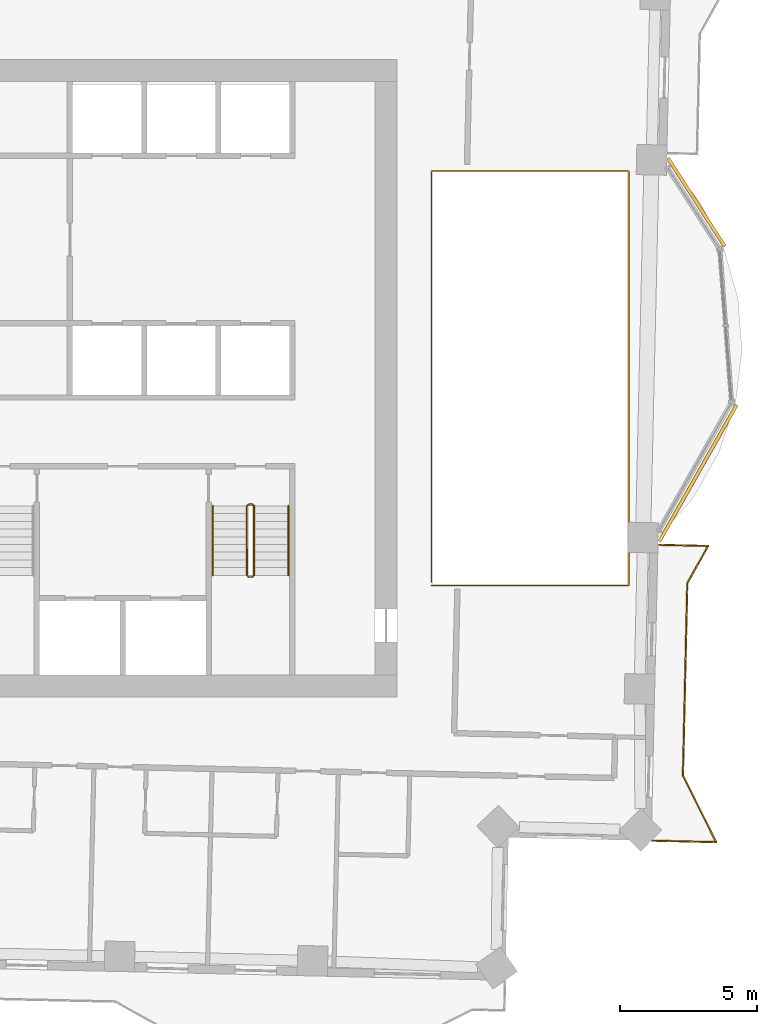
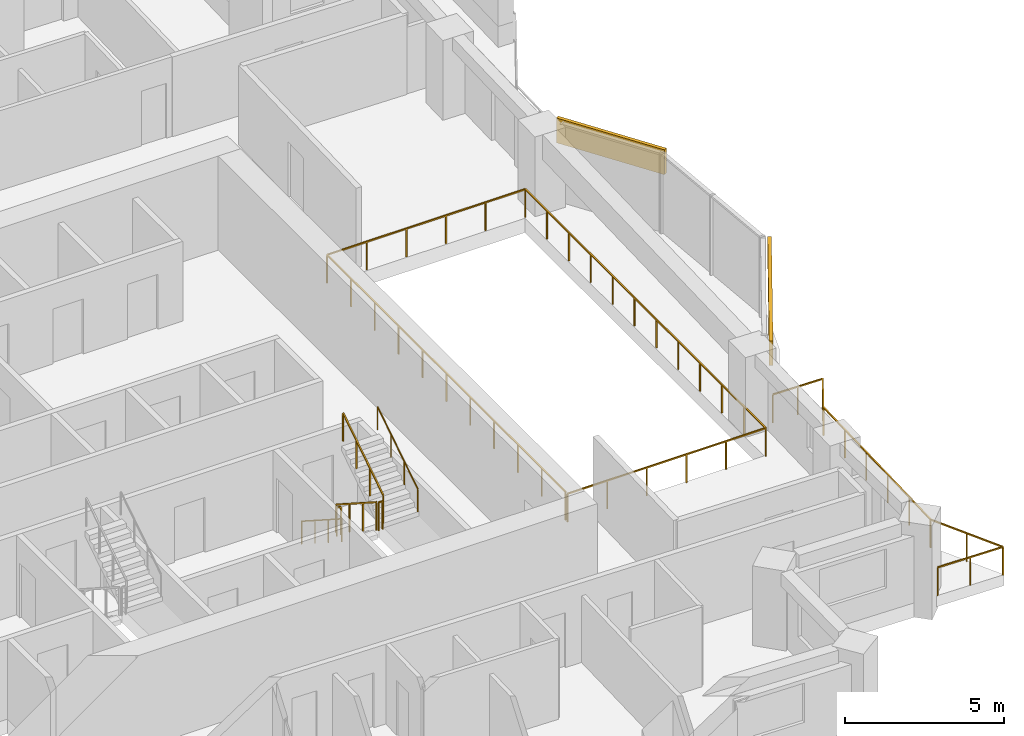
# One storey, part 15 of 16: 8 railings, 2 coverings.
"""IFC4 building model written with IfcOpenShell, lengths in metres."""

from ifc_helpers import new_model, si_unit, direction, frame, frame_2d, origin, origin_2d, place, context, subcontext, project, spatial, rectangle, circle, extrude, material, layer, layer_set, type_object, element, save


model = new_model("IFC4")

# Units and contexts
model_context = context("Model", 3, precision=1e-05, world=origin(), true_north=direction((0.0, 1.0)))
body_context = subcontext(model_context, "Body", "Model", "MODEL_VIEW")
ifc_project = project(units=[si_unit("LENGTHUNIT", "METRE"), si_unit("AREAUNIT", "SQUARE_METRE"), si_unit("VOLUMEUNIT", "CUBIC_METRE"), si_unit("PLANEANGLEUNIT", "RADIAN"), si_unit("MASSUNIT", "GRAM", prefix="KILO")], contexts=[model_context])

# Site, building, storey
site_placement = place(None, origin())
site = spatial("IfcSite", under=ifc_project, at=site_placement, CompositionType="ELEMENT")
building_placement = place(site_placement, origin())
building = spatial("IfcBuilding", under=site, at=building_placement, Name="Mangrove Gate Tower", CompositionType="ELEMENT")
storey_placement = place(building_placement, frame((0.0, 0.0, 212.300048828125)))
storey = spatial("IfcBuildingStorey", under=building, at=storey_placement, Name="L54", CompositionType="ELEMENT", Elevation=212.300048828125)

# Railings
ifc_material_1 = material(Name="Stainless steel grade 316 with laminated glass infill", Category="steel")
railing_type_1 = type_object("IfcRailingType", Name="Balcony guard 1100", PredefinedType="GUARDRAIL", material=ifc_material_1)
railing_1_placement = place(storey_placement, frame((23.89892578125, -16.8330078125, 0.0)))
element("IfcRailing", 1, at=railing_1_placement, inside=storey, type_object=railing_type_1, Name="GUARD L54 E1", PredefinedType="GUARDRAIL", context=body_context, shape_type="SweptSolid", body=[
    extrude(rectangle(XDim=0.048095703125, YDim=0.048095703125, at=origin_2d()), frame((0.0, 0.0, 1.076171875), z_axis=(0.999741185646, -0.022749982937, 0.0), x_axis=(0.022749982937, 0.999741185646, 0.0)), (0.0, 0.0, 1.0), 2.32861328125),
    extrude(rectangle(XDim=0.048095703125, YDim=0.048095703125, at=origin_2d()), frame((2.328125, -0.052978515625, 1.076171875), z_axis=(-0.447249569365, 0.894409203163, 0.0), x_axis=(-0.894409203163, -0.447249569365, 0.0)), (0.0, 0.0, 1.0), 2.714599609375),
    extrude(rectangle(XDim=0.048095703125, YDim=0.048095703125, at=origin_2d()), frame((1.114013671875, 2.375, 1.076171875), z_axis=(0.022740419861, 0.999741403216, 0.0), x_axis=(-0.999741403216, 0.022740419861, 0.0)), (0.0, 0.0, 1.0), 6.999755859375),
    extrude(rectangle(XDim=0.048095703125, YDim=0.048095703125, at=origin_2d()), frame((1.273193359375, 9.373046875, 1.076171875), z_axis=(0.487321616533, 0.873222561584, 0.0), x_axis=(-0.873222561584, 0.487321616533, 0.0)), (0.0, 0.0, 1.0), 1.55517578125),
    extrude(rectangle(XDim=0.048095703125, YDim=0.048095703125, at=origin_2d()), frame((2.031005859375, 10.73095703125, 1.076171875), z_axis=(-0.999736374059, 0.02296045261, 0.0), x_axis=(-0.02296045261, -0.999736374059, 0.0)), (0.0, 0.0, 1.0), 1.786376953125),
    extrude(rectangle(XDim=0.0419921875, YDim=0.0419921875, at=origin_2d()), origin(), (0.0, 0.0, 1.0), 1.052001953125),
    extrude(rectangle(XDim=0.0419921875, YDim=0.0419921875, at=origin_2d()), frame((1.1640625, -0.0263671875, 0.0)), (0.0, 0.0, 1.0), 1.052001953125),
    extrude(rectangle(XDim=0.0419921875, YDim=0.0419921875, at=origin_2d()), frame((2.328125, -0.052978515625, 0.0)), (0.0, 0.0, 1.0), 1.052001953125),
    extrude(rectangle(XDim=0.0419921875, YDim=0.0419921875, at=origin_2d()), frame((1.72119140625, 1.1611328125, 0.0)), (0.0, 0.0, 1.0), 1.052001953125),
    extrude(rectangle(XDim=0.0419921875, YDim=0.0419921875, at=origin_2d()), frame((1.114013671875, 2.375, 0.0)), (0.0, 0.0, 1.0), 1.052001953125),
    extrude(rectangle(XDim=0.0419921875, YDim=0.0419921875, at=origin_2d()), frame((1.145751953125, 3.774658203125, 0.0)), (0.0, 0.0, 1.0), 1.052001953125),
    extrude(rectangle(XDim=0.0419921875, YDim=0.0419921875, at=origin_2d()), frame((1.177734375, 5.17431640625, 0.0)), (0.0, 0.0, 1.0), 1.052001953125),
    extrude(rectangle(XDim=0.0419921875, YDim=0.0419921875, at=origin_2d()), frame((1.20947265625, 6.57373046875, 0.0)), (0.0, 0.0, 1.0), 1.052001953125),
    extrude(rectangle(XDim=0.0419921875, YDim=0.0419921875, at=origin_2d()), frame((1.241455078125, 7.973388671875, 0.0)), (0.0, 0.0, 1.0), 1.052001953125),
    extrude(rectangle(XDim=0.0419921875, YDim=0.0419921875, at=origin_2d()), frame((1.273193359375, 9.373046875, 0.0)), (0.0, 0.0, 1.0), 1.052001953125),
    extrude(rectangle(XDim=0.0419921875, YDim=0.0419921875, at=origin_2d()), frame((1.652099609375, 10.052001953125, 0.0)), (0.0, 0.0, 1.0), 1.052001953125),
    extrude(rectangle(XDim=0.0419921875, YDim=0.0419921875, at=origin_2d()), frame((2.031005859375, 10.73095703125, 0.0)), (0.0, 0.0, 1.0), 1.052001953125),
    extrude(rectangle(XDim=0.0419921875, YDim=0.0419921875, at=origin_2d()), frame((1.13818359375, 10.75146484375, 0.0)), (0.0, 0.0, 1.0), 1.052001953125),
    extrude(rectangle(XDim=0.0419921875, YDim=0.0419921875, at=origin_2d()), frame((0.2451171875, 10.77197265625, 0.0)), (0.0, 0.0, 1.0), 1.052001953125),
])
railing_2_placement = place(storey_placement, frame((15.860107421875, -7.5400390625, 0.0)))
element("IfcRailing", 2, at=railing_2_placement, inside=storey, type_object=railing_type_1, Name="GUARD L54 atrium", PredefinedType="GUARDRAIL", context=body_context, shape_type="SweptSolid", body=[
    extrude(rectangle(XDim=0.048095703125, YDim=0.048095703125, at=origin_2d()), frame((0.0, 0.0, 1.076171875), z_axis=(1.0, 0.0, 0.0), x_axis=(0.0, 1.0, 0.0)), (0.0, 0.0, 1.0), 7.1748046875),
    extrude(rectangle(XDim=0.048095703125, YDim=0.048095703125, at=origin_2d()), frame((7.1748046875, 0.0, 1.076171875), z_axis=(0.0, 1.0, 0.0), x_axis=(-1.0, 0.0, 0.0)), (0.0, 0.0, 1.0), 15.080078125),
    extrude(rectangle(XDim=0.048095703125, YDim=0.048095703125, at=origin_2d()), frame((7.1748046875, 15.080078125, 1.076171875), z_axis=(-1.0, 0.0, 0.0), x_axis=(0.0, -1.0, 0.0)), (0.0, 0.0, 1.0), 7.1748046875),
    extrude(rectangle(XDim=0.048095703125, YDim=0.048095703125, at=origin_2d()), frame((0.0, 15.080078125, 1.076171875), z_axis=(0.0, -1.0, 0.0), x_axis=(1.0, 0.0, 0.0)), (0.0, 0.0, 1.0), 14.9599609375),
    extrude(rectangle(XDim=0.0419921875, YDim=0.0419921875, at=origin_2d()), origin(), (0.0, 0.0, 1.0), 1.052001953125),
    extrude(rectangle(XDim=0.0419921875, YDim=0.0419921875, at=origin_2d()), frame((1.43505859375, 0.0, 0.0)), (0.0, 0.0, 1.0), 1.052001953125),
    extrude(rectangle(XDim=0.0419921875, YDim=0.0419921875, at=origin_2d()), frame((2.869873046875, 0.0, 0.0)), (0.0, 0.0, 1.0), 1.052001953125),
    extrude(rectangle(XDim=0.0419921875, YDim=0.0419921875, at=origin_2d()), frame((4.304931640625, 0.0, 0.0)), (0.0, 0.0, 1.0), 1.052001953125),
    extrude(rectangle(XDim=0.0419921875, YDim=0.0419921875, at=origin_2d()), frame((5.73974609375, 0.0, 0.0)), (0.0, 0.0, 1.0), 1.052001953125),
    extrude(rectangle(XDim=0.0419921875, YDim=0.0419921875, at=origin_2d()), frame((7.1748046875, 0.0, 0.0)), (0.0, 0.0, 1.0), 1.052001953125),
    extrude(rectangle(XDim=0.0419921875, YDim=0.0419921875, at=origin_2d()), frame((7.1748046875, 1.370849609375, 0.0)), (0.0, 0.0, 1.0), 1.052001953125),
    extrude(rectangle(XDim=0.0419921875, YDim=0.0419921875, at=origin_2d()), frame((7.1748046875, 2.741943359375, 0.0)), (0.0, 0.0, 1.0), 1.052001953125),
    extrude(rectangle(XDim=0.0419921875, YDim=0.0419921875, at=origin_2d()), frame((7.1748046875, 4.11279296875, 0.0)), (0.0, 0.0, 1.0), 1.052001953125),
    extrude(rectangle(XDim=0.0419921875, YDim=0.0419921875, at=origin_2d()), frame((7.1748046875, 5.483642578125, 0.0)), (0.0, 0.0, 1.0), 1.052001953125),
    extrude(rectangle(XDim=0.0419921875, YDim=0.0419921875, at=origin_2d()), frame((7.1748046875, 6.8544921875, 0.0)), (0.0, 0.0, 1.0), 1.052001953125),
    extrude(rectangle(XDim=0.0419921875, YDim=0.0419921875, at=origin_2d()), frame((7.1748046875, 8.2255859375, 0.0)), (0.0, 0.0, 1.0), 1.052001953125),
    extrude(rectangle(XDim=0.0419921875, YDim=0.0419921875, at=origin_2d()), frame((7.1748046875, 9.596435546875, 0.0)), (0.0, 0.0, 1.0), 1.052001953125),
    extrude(rectangle(XDim=0.0419921875, YDim=0.0419921875, at=origin_2d()), frame((7.1748046875, 10.96728515625, 0.0)), (0.0, 0.0, 1.0), 1.052001953125),
    extrude(rectangle(XDim=0.0419921875, YDim=0.0419921875, at=origin_2d()), frame((7.1748046875, 12.338134765625, 0.0)), (0.0, 0.0, 1.0), 1.052001953125),
    extrude(rectangle(XDim=0.0419921875, YDim=0.0419921875, at=origin_2d()), frame((7.1748046875, 13.709228515625, 0.0)), (0.0, 0.0, 1.0), 1.052001953125),
    extrude(rectangle(XDim=0.0419921875, YDim=0.0419921875, at=origin_2d()), frame((7.1748046875, 15.080078125, 0.0)), (0.0, 0.0, 1.0), 1.052001953125),
    extrude(rectangle(XDim=0.0419921875, YDim=0.0419921875, at=origin_2d()), frame((5.73974609375, 15.080078125, 0.0)), (0.0, 0.0, 1.0), 1.052001953125),
    extrude(rectangle(XDim=0.0419921875, YDim=0.0419921875, at=origin_2d()), frame((4.304931640625, 15.080078125, 0.0)), (0.0, 0.0, 1.0), 1.052001953125),
    extrude(rectangle(XDim=0.0419921875, YDim=0.0419921875, at=origin_2d()), frame((2.869873046875, 15.080078125, 0.0)), (0.0, 0.0, 1.0), 1.052001953125),
    extrude(rectangle(XDim=0.0419921875, YDim=0.0419921875, at=origin_2d()), frame((1.43505859375, 15.080078125, 0.0)), (0.0, 0.0, 1.0), 1.052001953125),
    extrude(rectangle(XDim=0.0419921875, YDim=0.0419921875, at=origin_2d()), frame((0.0, 15.080078125, 0.0)), (0.0, 0.0, 1.0), 1.052001953125),
    extrude(rectangle(XDim=0.0419921875, YDim=0.0419921875, at=origin_2d()), frame((0.0, 13.583984375, 0.0)), (0.0, 0.0, 1.0), 1.052001953125),
    extrude(rectangle(XDim=0.0419921875, YDim=0.0419921875, at=origin_2d()), frame((0.0, 12.088134765625, 0.0)), (0.0, 0.0, 1.0), 1.052001953125),
    extrude(rectangle(XDim=0.0419921875, YDim=0.0419921875, at=origin_2d()), frame((0.0, 10.592041015625, 0.0)), (0.0, 0.0, 1.0), 1.052001953125),
    extrude(rectangle(XDim=0.0419921875, YDim=0.0419921875, at=origin_2d()), frame((0.0, 9.09619140625, 0.0)), (0.0, 0.0, 1.0), 1.052001953125),
    extrude(rectangle(XDim=0.0419921875, YDim=0.0419921875, at=origin_2d()), frame((0.0, 7.60009765625, 0.0)), (0.0, 0.0, 1.0), 1.052001953125),
    extrude(rectangle(XDim=0.0419921875, YDim=0.0419921875, at=origin_2d()), frame((0.0, 6.10400390625, 0.0)), (0.0, 0.0, 1.0), 1.052001953125),
    extrude(rectangle(XDim=0.0419921875, YDim=0.0419921875, at=origin_2d()), frame((0.0, 4.608154296875, 0.0)), (0.0, 0.0, 1.0), 1.052001953125),
    extrude(rectangle(XDim=0.0419921875, YDim=0.0419921875, at=origin_2d()), frame((0.0, 3.112060546875, 0.0)), (0.0, 0.0, 1.0), 1.052001953125),
    extrude(rectangle(XDim=0.0419921875, YDim=0.0419921875, at=origin_2d()), frame((0.0, 1.6162109375, 0.0)), (0.0, 0.0, 1.0), 1.052001953125),
    extrude(rectangle(XDim=0.0419921875, YDim=0.0419921875, at=origin_2d()), frame((0.0, 0.1201171875, 0.0)), (0.0, 0.0, 1.0), 1.052001953125),
])
ifc_material_2 = material(Name="Stainless steel 316", Category="steel")
railing_type_2 = type_object("IfcRailingType", Name="Core stair guard 1100", PredefinedType="GUARDRAIL", material=ifc_material_2)
railing_3_placement = place(storey_placement, frame((9.14990234375, -4.64990234375, 0.179931640625)))
element("IfcRailing", 3, at=railing_3_placement, inside=storey, type_object=railing_type_2, Name="L54 ST3 stair guard 1", PredefinedType="GUARDRAIL", context=body_context, shape_type="SweptSolid", body=[
    extrude(rectangle(XDim=0.048095703125, YDim=0.048095703125, at=origin_2d()), frame((0.0, 0.0, 1.076171875), z_axis=(0.0, -0.841162588446, 0.540782303519), x_axis=(1.0, 0.0, 0.0)), (0.0, 0.0, 1.0), 2.995849609375),
    extrude(rectangle(XDim=0.0419921875, YDim=0.0419921875, at=origin_2d()), origin(), (0.0, 0.0, 1.0), 1.052001953125),
    extrude(rectangle(XDim=0.0419921875, YDim=0.0419921875, at=origin_2d()), frame((0.0, -0.840087890625, 0.5400390625)), (0.0, 0.0, 1.0), 1.052001953125),
    extrude(rectangle(XDim=0.0419921875, YDim=0.0419921875, at=origin_2d()), frame((0.0, -1.679931640625, 1.080078125)), (0.0, 0.0, 1.0), 1.052001953125),
    extrude(rectangle(XDim=0.0419921875, YDim=0.0419921875, at=origin_2d()), frame((0.0, -2.52001953125, 1.6201171875)), (0.0, 0.0, 1.0), 1.052001953125),
])
railing_4_placement = place(storey_placement, frame((9.199951171875, -7.219970703125, 1.800048828125)))
element("IfcRailing", 4, at=railing_4_placement, inside=storey, type_object=railing_type_2, Name="L54 ST3 stair guard 2", PredefinedType="GUARDRAIL", context=body_context, shape_type="SweptSolid", body=[
    extrude(rectangle(XDim=0.048095703125, YDim=0.048095703125, at=origin_2d()), frame((0.0, 0.0, 1.076171875), z_axis=(1.0, 0.0, 0.0), x_axis=(0.0, 1.0, 0.0)), (0.0, 0.0, 1.0), 0.150146484375),
    extrude(rectangle(XDim=0.0419921875, YDim=0.0419921875, at=origin_2d()), origin(), (0.0, 0.0, 1.0), 1.052001953125),
    extrude(rectangle(XDim=0.0419921875, YDim=0.0419921875, at=origin_2d()), frame((0.150146484375, 0.0, 0.0)), (0.0, 0.0, 1.0), 1.052001953125),
])
railing_5_placement = place(storey_placement, frame((9.39990234375, -7.169921875, 1.97998046875)))
element("IfcRailing", 5, at=railing_5_placement, inside=storey, type_object=railing_type_2, Name="L54 ST3 stair guard 3", PredefinedType="GUARDRAIL", context=body_context, shape_type="SweptSolid", body=[
    extrude(rectangle(XDim=0.048095703125, YDim=0.048095703125, at=origin_2d()), frame((0.0, 0.0, 1.076171875), z_axis=(0.0, 0.841199657755, 0.540724639528), x_axis=(-1.0, 0.0, 0.0)), (0.0, 0.0, 1.0), 2.995849609375),
    extrude(rectangle(XDim=0.0419921875, YDim=0.0419921875, at=origin_2d()), origin(), (0.0, 0.0, 1.0), 1.052001953125),
    extrude(rectangle(XDim=0.0419921875, YDim=0.0419921875, at=origin_2d()), frame((0.0, 0.840087890625, 0.5400390625)), (0.0, 0.0, 1.0), 1.052001953125),
    extrude(rectangle(XDim=0.0419921875, YDim=0.0419921875, at=origin_2d()), frame((0.0, 1.679931640625, 1.079833984375)), (0.0, 0.0, 1.0), 1.052001953125),
    extrude(rectangle(XDim=0.0419921875, YDim=0.0419921875, at=origin_2d()), frame((0.0, 2.52001953125, 1.619873046875)), (0.0, 0.0, 1.0), 1.052001953125),
])
railing_6_placement = place(storey_placement, frame((9.199951171875, -4.60009765625, 0.0)))
element("IfcRailing", 6, at=railing_6_placement, inside=storey, type_object=railing_type_2, Name="L54 ST3 stair guard 4", PredefinedType="GUARDRAIL", context=body_context, shape_type="SweptSolid", body=[
    extrude(rectangle(XDim=0.048095703125, YDim=0.048095703125, at=origin_2d()), frame((0.0, 0.0, 1.076171875), z_axis=(1.0, 0.0, 0.0), x_axis=(0.0, 1.0, 0.0)), (0.0, 0.0, 1.0), 0.150146484375),
    extrude(rectangle(XDim=0.0419921875, YDim=0.0419921875, at=origin_2d()), origin(), (0.0, 0.0, 1.0), 1.052001953125),
    extrude(rectangle(XDim=0.0419921875, YDim=0.0419921875, at=origin_2d()), frame((0.150146484375, 0.0, 0.0)), (0.0, 0.0, 1.0), 1.052001953125),
])
ifc_material_3 = material(Name="Stainless steel 316", Category="steel")
railing_type_3 = type_object("IfcRailingType", Name="Core stair handrail 900", PredefinedType="HANDRAIL", material=ifc_material_3)
railing_7_placement = place(storey_placement, frame((7.89990234375, -4.64990234375, 0.179931640625)))
element("IfcRailing", 7, at=railing_7_placement, inside=storey, type_object=railing_type_3, Name="L54 ST3 stair handrail 1", PredefinedType="HANDRAIL", context=body_context, shape_type="SweptSolid", body=[
    extrude(circle(Radius=0.02392578125, at=origin_2d()), frame((0.0, 0.0, 0.8759765625), z_axis=(0.0, -0.841162588446, 0.540782303519), x_axis=(1.0, 0.0, 0.0)), (0.0, 0.0, 1.0), 2.995849609375),
    extrude(circle(Radius=0.02099609375, at=origin_2d()), origin(), (0.0, 0.0, 1.0), 0.851806640625),
    extrude(circle(Radius=0.02099609375, at=origin_2d()), frame((0.0, -0.840087890625, 0.5400390625)), (0.0, 0.0, 1.0), 0.851806640625),
    extrude(circle(Radius=0.02099609375, at=origin_2d()), frame((0.0, -1.679931640625, 1.080078125)), (0.0, 0.0, 1.0), 0.851806640625),
    extrude(circle(Radius=0.02099609375, at=origin_2d()), frame((0.0, -2.52001953125, 1.6201171875)), (0.0, 0.0, 1.0), 0.851806640625),
])
railing_8_placement = place(storey_placement, frame((10.64990234375, -7.169921875, 1.97998046875)))
element("IfcRailing", 8, at=railing_8_placement, inside=storey, type_object=railing_type_3, Name="L54 ST3 stair handrail 2", PredefinedType="HANDRAIL", context=body_context, shape_type="SweptSolid", body=[
    extrude(circle(Radius=0.02392578125, at=origin_2d()), frame((0.0, 0.0, 0.8759765625), z_axis=(0.0, 0.841199657755, 0.540724639528), x_axis=(-1.0, 0.0, 0.0)), (0.0, 0.0, 1.0), 2.995849609375),
    extrude(circle(Radius=0.02099609375, at=origin_2d()), origin(), (0.0, 0.0, 1.0), 0.851806640625),
    extrude(circle(Radius=0.02099609375, at=origin_2d()), frame((0.0, 0.840087890625, 0.5400390625)), (0.0, 0.0, 1.0), 0.851806640625),
    extrude(circle(Radius=0.02099609375, at=origin_2d()), frame((0.0, 1.679931640625, 1.079833984375)), (0.0, 0.0, 1.0), 0.851806640625),
    extrude(circle(Radius=0.02099609375, at=origin_2d()), frame((0.0, 2.52001953125, 1.619873046875)), (0.0, 0.0, 1.0), 0.851806640625),
])

# Coverings
ifc_material_4 = material(Name="Limestone", Category="masonry")
ifc_layer_1 = layer(ifc_material_4, 0.0400390625, Name="Limestone cladding")
ifc_material_5 = material(Name="Stainless steel anchors and cavity", Category="steel")
ifc_layer_2 = layer(ifc_material_5, 0.080078125, Name="Fixing cavity")
ifc_layer_set = layer_set([ifc_layer_1, ifc_layer_2], Name="Joint fascia cladding 120")
covering_type = type_object("IfcCoveringType", Name="Joint fascia cladding 120", PredefinedType="CLADDING", material=ifc_layer_set)
covering_1_placement = place(storey_placement, frame((24.156982421875, -5.9365234375, 2.099853515625), z_axis=(0.0, 0.0, 1.0), x_axis=(0.492512614445, 0.870305305403, 0.0)))
element("IfcCovering", 9, at=covering_1_placement, inside=storey, type_object=covering_type, Name="STONE FASCIA L54 E1.L1", PredefinedType="CLADDING", context=body_context, shape_type="SweptSolid", body=[
    extrude(rectangle(XDim=5.70556640625, YDim=0.1201171875, at=frame_2d((2.852783203125, 0.0))), origin(), (0.0, 0.0, 1.0), 0.9501953125),
])
covering_2_placement = place(storey_placement, frame((26.531005859375, 4.802001953125, 2.099853515625), z_axis=(0.0, 0.0, 1.0), x_axis=(-0.540340805768, 0.841446263063, 0.0)))
element("IfcCovering", 10, at=covering_2_placement, inside=storey, type_object=covering_type, Name="STONE FASCIA L54 E1.L2", PredefinedType="CLADDING", context=body_context, shape_type="SweptSolid", body=[
    extrude(rectangle(XDim=3.81982421875, YDim=0.1201171875, at=frame_2d((1.909912109375, 0.0))), origin(), (0.0, 0.0, 1.0), 0.9501953125),
])

save(model, "model.ifc")
